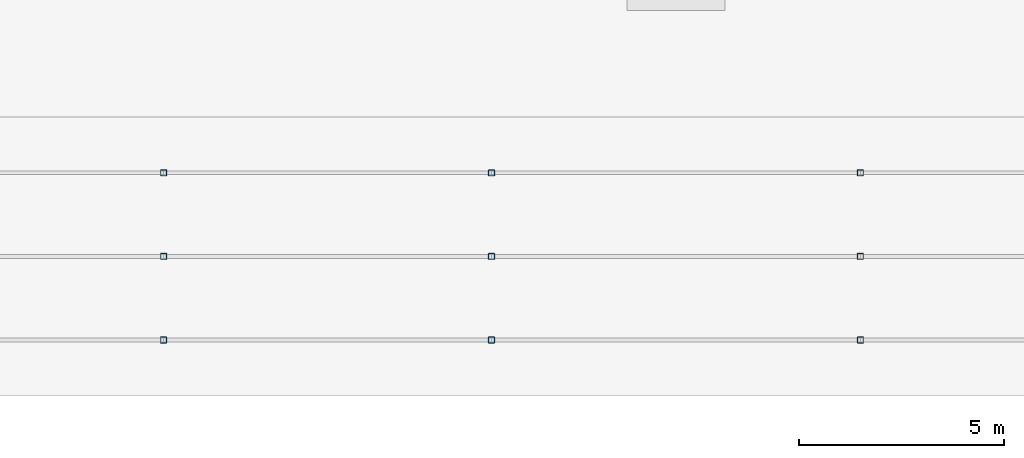
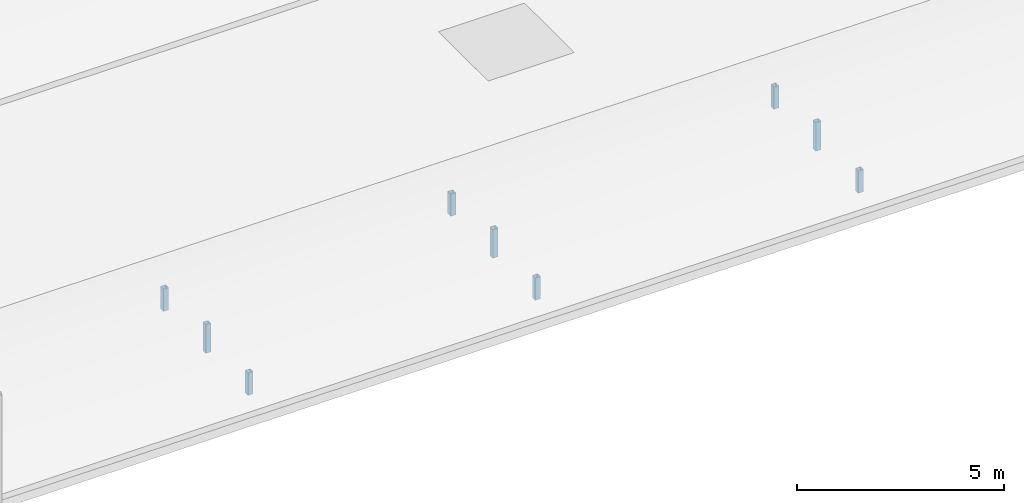
# One storey, part 28 of 46: 9 members.
"""IFC4 building model written with IfcOpenShell, lengths in metres."""

from ifc_helpers import new_model, si_unit, direction, frame, origin, origin_2d, place, context, subcontext, project, spatial, hollow_rectangle, extrude, material, material_profile, profile_set, type_object, element, save


model = new_model("IFC4")

# Units and contexts
model_context = context("Model", 3, precision=1e-05, world=origin(), true_north=direction((0.0, 1.0)))
body_context = subcontext(model_context, "Body", "Model", "MODEL_VIEW")
ifc_project = project(units=[si_unit("LENGTHUNIT", "METRE"), si_unit("AREAUNIT", "SQUARE_METRE"), si_unit("VOLUMEUNIT", "CUBIC_METRE"), si_unit("PLANEANGLEUNIT", "RADIAN"), si_unit("MASSUNIT", "GRAM", prefix="KILO")], contexts=[model_context])

# Site, building, storey
site_placement = place(None, origin())
site = spatial("IfcSite", under=ifc_project, at=site_placement, CompositionType="ELEMENT")
building_placement = place(site_placement, origin())
building = spatial("IfcBuilding", under=site, at=building_placement, Name="Shalkamar Park Central Library", CompositionType="ELEMENT")
storey_placement = place(building_placement, frame((0.0, 0.0, 20.39990234375)))
storey = spatial("IfcBuildingStorey", under=building, at=storey_placement, Name="L05", CompositionType="ELEMENT", Elevation=20.39990234375)

# Members
ifc_material = material(Name="Steel S355", Category="steel")
ifc_material_profile = material_profile(ifc_material, hollow_rectangle(XDim=0.14990234375, YDim=0.14990234375, WallThickness=0.008056640625, InnerFilletRadius=0.008056640625, OuterFilletRadius=0.011962890625, at=origin_2d()), Name="SHS 150x150x8")
ifc_profile_set = profile_set([ifc_material_profile], Name="Steel S355")
member_type = type_object("IfcMemberType", Name="Diagonal Brace SHS150", PredefinedType="BRACE", material=ifc_profile_set)
member_1_placement = place(storey_placement, frame((229.0, 249.760009765625, -0.35986328125), z_axis=(0.0, 0.0, 1.0), x_axis=(1.0, 0.0, 0.0)))
element("IfcMember", 1, at=member_1_placement, inside=storey, type_object=member_type, Name="Vault Arch Post BV-L04-S1-15.1", PredefinedType="BRACE", context=body_context, shape_type="SweptSolid", body=[
    extrude(hollow_rectangle(XDim=0.14990234375, YDim=0.14990234375, WallThickness=0.008056640625, InnerFilletRadius=0.008056640625, OuterFilletRadius=0.011962890625, at=origin_2d()), origin(), (0.0, 0.0, 1.0), 0.65283203125),
])
member_2_placement = place(storey_placement, frame((229.0, 251.800048828125, -0.35986328125), z_axis=(0.0, 0.0, 1.0), x_axis=(1.0, 0.0, 0.0)))
element("IfcMember", 2, at=member_2_placement, inside=storey, type_object=member_type, Name="Vault Arch Post BV-L04-S1-15.2", PredefinedType="BRACE", context=body_context, shape_type="SweptSolid", body=[
    extrude(hollow_rectangle(XDim=0.14990234375, YDim=0.14990234375, WallThickness=0.008056640625, InnerFilletRadius=0.008056640625, OuterFilletRadius=0.011962890625, at=origin_2d()), origin(), (0.0, 0.0, 1.0), 0.83984375),
])
for number, where, z_axis, x_axis, name in (
    (3, (229.0, 253.840087890625, -0.35986328125), (0.0, 0.0, 1.0), (1.0, 0.0, 0.0), "Vault Arch Post BV-L04-S1-15.3"),
    (4, (237.0, 249.760009765625, -0.35986328125), (0.0, 0.0, 1.0), (1.0, 0.0, 0.0), "Vault Arch Post BV-L04-S1-16.1"),
):
    element("IfcMember", number, at=place(storey_placement, frame(where, z_axis=z_axis, x_axis=x_axis)), inside=storey, type_object=member_type, Name=name, PredefinedType="BRACE", context=body_context, shape_type="SweptSolid", body=[
        extrude(hollow_rectangle(XDim=0.14990234375, YDim=0.14990234375, WallThickness=0.008056640625, InnerFilletRadius=0.008056640625, OuterFilletRadius=0.011962890625, at=origin_2d()), origin(), (0.0, 0.0, 1.0), 0.65283203125),
    ])
member_3_placement = place(storey_placement, frame((237.0, 251.800048828125, -0.35986328125), z_axis=(0.0, 0.0, 1.0), x_axis=(1.0, 0.0, 0.0)))
element("IfcMember", 5, at=member_3_placement, inside=storey, type_object=member_type, Name="Vault Arch Post BV-L04-S1-16.2", PredefinedType="BRACE", context=body_context, shape_type="SweptSolid", body=[
    extrude(hollow_rectangle(XDim=0.14990234375, YDim=0.14990234375, WallThickness=0.008056640625, InnerFilletRadius=0.008056640625, OuterFilletRadius=0.011962890625, at=origin_2d()), origin(), (0.0, 0.0, 1.0), 0.83984375),
])
for number, where, z_axis, x_axis, name in (
    (6, (237.0, 253.840087890625, -0.35986328125), (0.0, 0.0, 1.0), (1.0, 0.0, 0.0), "Vault Arch Post BV-L04-S1-16.3"),
    (7, (246.0, 249.760009765625, -0.35986328125), (0.0, 0.0, 1.0), (1.0, 0.0, 0.0), "Vault Arch Post BV-L04-S1-17.1"),
):
    element("IfcMember", number, at=place(storey_placement, frame(where, z_axis=z_axis, x_axis=x_axis)), inside=storey, type_object=member_type, Name=name, PredefinedType="BRACE", context=body_context, shape_type="SweptSolid", body=[
        extrude(hollow_rectangle(XDim=0.14990234375, YDim=0.14990234375, WallThickness=0.008056640625, InnerFilletRadius=0.008056640625, OuterFilletRadius=0.011962890625, at=origin_2d()), origin(), (0.0, 0.0, 1.0), 0.65283203125),
    ])
member_4_placement = place(storey_placement, frame((246.0, 251.800048828125, -0.35986328125), z_axis=(0.0, 0.0, 1.0), x_axis=(1.0, 0.0, 0.0)))
element("IfcMember", 8, at=member_4_placement, inside=storey, type_object=member_type, Name="Vault Arch Post BV-L04-S1-17.2", PredefinedType="BRACE", context=body_context, shape_type="SweptSolid", body=[
    extrude(hollow_rectangle(XDim=0.14990234375, YDim=0.14990234375, WallThickness=0.008056640625, InnerFilletRadius=0.008056640625, OuterFilletRadius=0.011962890625, at=origin_2d()), origin(), (0.0, 0.0, 1.0), 0.83984375),
])
member_5_placement = place(storey_placement, frame((246.0, 253.840087890625, -0.35986328125), z_axis=(0.0, 0.0, 1.0), x_axis=(1.0, 0.0, 0.0)))
element("IfcMember", 9, at=member_5_placement, inside=storey, type_object=member_type, Name="Vault Arch Post BV-L04-S1-17.3", PredefinedType="BRACE", context=body_context, shape_type="SweptSolid", body=[
    extrude(hollow_rectangle(XDim=0.14990234375, YDim=0.14990234375, WallThickness=0.008056640625, InnerFilletRadius=0.008056640625, OuterFilletRadius=0.011962890625, at=origin_2d()), origin(), (0.0, 0.0, 1.0), 0.65283203125),
])

save(model, "model.ifc")
